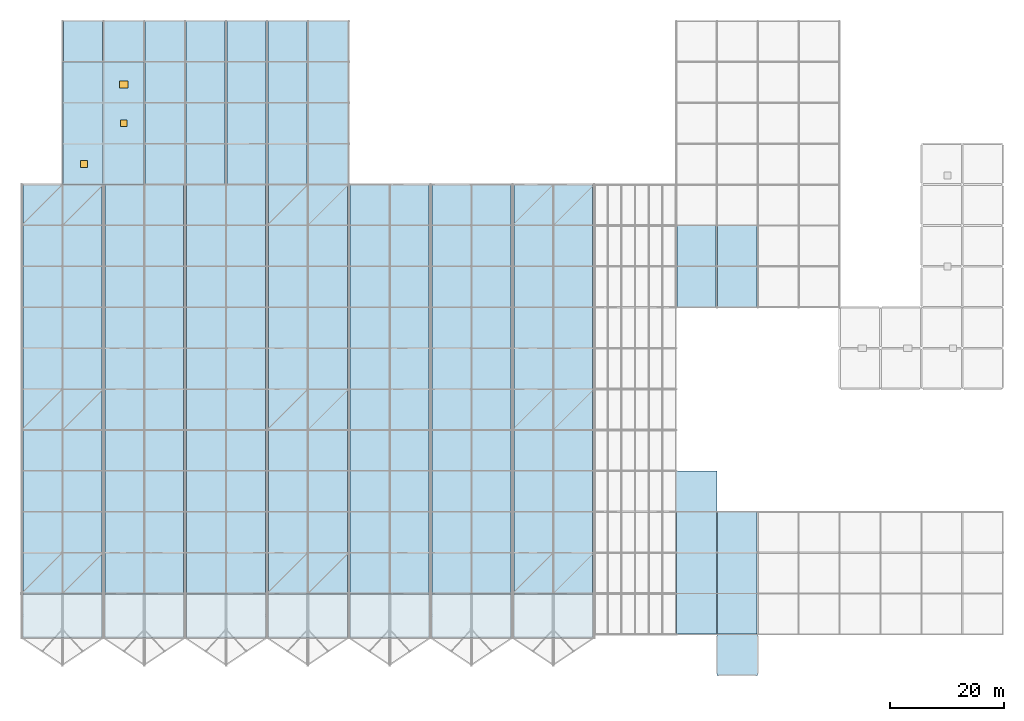
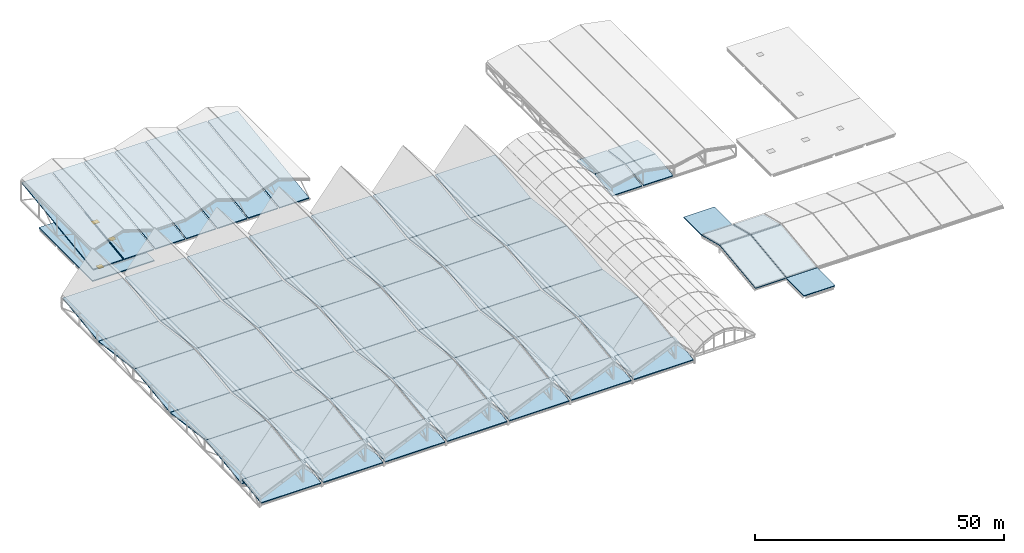
# One storey, part 42 of 60: 60 slabs, 3 windows, 3 openings.
"""IFC4 building model written with IfcOpenShell, lengths in metres."""

from ifc_helpers import new_model, si_unit, direction, frame, origin, origin_2d, place, context, subcontext, project, spatial, polyline, rectangle, outline, extrude, material, layer, layer_set, type_object, element, fill, save


model = new_model("IFC4")

# Units and contexts
model_context = context("Model", 3, precision=1e-05, world=origin(), true_north=direction((0.0, 1.0)))
body_context = subcontext(model_context, "Body", "Model", "MODEL_VIEW")
ifc_project = project(units=[si_unit("LENGTHUNIT", "METRE"), si_unit("AREAUNIT", "SQUARE_METRE"), si_unit("VOLUMEUNIT", "CUBIC_METRE"), si_unit("PLANEANGLEUNIT", "RADIAN"), si_unit("MASSUNIT", "GRAM", prefix="KILO")], contexts=[model_context])

# Site, building, storey
site_placement = place(None, origin())
site = spatial("IfcSite", under=ifc_project, at=site_placement, CompositionType="ELEMENT")
building_placement = place(site_placement, origin())
building = spatial("IfcBuilding", under=site, at=building_placement, Name="Vesperath Aquatics Centre", CompositionType="ELEMENT")
storey_placement = place(building_placement, frame((0.0, 0.0, 27.60009765625)))
storey = spatial("IfcBuildingStorey", under=building, at=storey_placement, Name="RF", CompositionType="ELEMENT", Elevation=27.60009765625)

# Slabs
ifc_material_1 = material(Name="Concrete C35", Category="concrete")
ifc_layer_1 = layer(ifc_material_1, 0.2548828125)
ifc_layer_set_1 = layer_set([ifc_layer_1], Name="Concrete C35")
slab_type_1 = type_object("IfcSlabType", Name="SL-RF01", PredefinedType="ROOF", material=ifc_layer_set_1)
slab_1_placement = place(storey_placement, frame((0.25, 6.64501953125, -11.9501953125), z_axis=(0.0, -0.133777130456, 0.991011442601), x_axis=(1.0, 0.0, 0.0)))
element("IfcSlab", 1, at=slab_1_placement, inside=storey, type_object=slab_type_1, Name="Natatorium Folded Structural Roof Deck RD01 G1-1", PredefinedType="ROOF", context=body_context, shape_type="SweptSolid", body=[
    extrude(outline(polyline([(0.0, 0.0), (13.89990234375, 0.0), (13.89990234375, 7.7798909337126325), (0.0, 7.7798909337126325), (0.0, 0.0)])), origin(), (0.0, 0.0, -1.0), 0.2548828125),
])
slab_2_placement = place(storey_placement, frame((0.25, 14.445068359375, -11.9501953125), z_axis=(0.0, -0.133076324144, 0.991105792513), x_axis=(1.0, 0.0, 0.0)))
element("IfcSlab", 2, at=slab_2_placement, inside=storey, type_object=slab_type_1, Name="Natatorium Folded Structural Roof Deck RD01 G1-2", PredefinedType="ROOF", context=body_context, shape_type="SweptSolid", body=[
    extrude(outline(polyline([(0.0, 0.0), (13.89990234375, 0.0), (13.89990234375, 14.43823107606517), (0.0, 14.43823107606517), (0.0, 0.0)])), origin(), (0.0, 0.0, -1.0), 0.2548828125),
])
slab_3_placement = place(storey_placement, frame((0.25, 28.844970703125, -10.02880859375), z_axis=(0.0, 0.133074093966, 0.991106091957), x_axis=(1.0, 0.0, 0.0)))
element("IfcSlab", 3, at=slab_3_placement, inside=storey, type_object=slab_type_1, Name="Natatorium Folded Structural Roof Deck RD01 G1-3", PredefinedType="ROOF", context=body_context, shape_type="SweptSolid", body=[
    extrude(outline(polyline([(0.0, 0.0), (13.89990234375, 0.0), (13.89990234375, 14.438473045289351), (0.0, 14.438473045289351), (0.0, 0.0)])), origin(), (0.0, 0.0, -1.0), 0.2548828125),
])
slab_4_placement = place(storey_placement, frame((0.25, 43.2451171875, -11.9501953125), z_axis=(0.0, -0.133076324144, 0.991105792513), x_axis=(1.0, 0.0, 0.0)))
element("IfcSlab", 4, at=slab_4_placement, inside=storey, type_object=slab_type_1, Name="Natatorium Folded Structural Roof Deck RD01 G1-4", PredefinedType="ROOF", context=body_context, shape_type="SweptSolid", body=[
    extrude(outline(polyline([(0.0, 0.0), (13.89990234375, 0.0), (13.89990234375, 14.43823107606517), (0.0, 14.43823107606517), (0.0, 0.0)])), origin(), (0.0, 0.0, -1.0), 0.2548828125),
])
for number, where, z_axis, x_axis, name in (
    (5, (0.25, 57.64501953125, -10.02880859375), (0.0, 0.133074093966, 0.991106091957), (1.0, 0.0, 0.0), "Natatorium Folded Structural Roof Deck RD01 G1-5"),
    (6, (0.25, 72.044921875, -11.9501953125), (0.0, -0.133074093966, 0.991106091957), (1.0, 0.0, 0.0), "Natatorium Folded Structural Roof Deck RD01 G1-6"),
):
    element("IfcSlab", number, at=place(storey_placement, frame(where, z_axis=z_axis, x_axis=x_axis)), inside=storey, type_object=slab_type_1, Name=name, PredefinedType="ROOF", context=body_context, shape_type="SweptSolid", body=[
        extrude(outline(polyline([(0.0, 0.0), (13.89990234375, 0.0), (13.89990234375, 14.438473045289351), (0.0, 14.438473045289351), (0.0, 0.0)])), origin(), (0.0, 0.0, -1.0), 0.2548828125),
    ])
slab_5_placement = place(storey_placement, frame((14.64990234375, 6.64501953125, -11.9501953125), z_axis=(0.0, -0.133777130456, 0.991011442601), x_axis=(1.0, 0.0, 0.0)))
element("IfcSlab", 7, at=slab_5_placement, inside=storey, type_object=slab_type_1, Name="Natatorium Folded Structural Roof Deck RD01 G2-1", PredefinedType="ROOF", context=body_context, shape_type="SweptSolid", body=[
    extrude(outline(polyline([(0.0, 0.0), (13.900146484375, 0.0), (13.900146484375, 7.7798909337126325), (0.0, 7.7798909337126325), (0.0, 0.0)])), origin(), (0.0, 0.0, -1.0), 0.2548828125),
])
slab_6_placement = place(storey_placement, frame((14.64990234375, 14.445068359375, -11.9501953125), z_axis=(0.0, -0.133076324144, 0.991105792513), x_axis=(1.0, 0.0, 0.0)))
element("IfcSlab", 8, at=slab_6_placement, inside=storey, type_object=slab_type_1, Name="Natatorium Folded Structural Roof Deck RD01 G2-2", PredefinedType="ROOF", context=body_context, shape_type="SweptSolid", body=[
    extrude(outline(polyline([(0.0, 0.0), (13.900146484375, 0.0), (13.900146484375, 14.438231076065172), (0.0, 14.438231076065172), (0.0, 0.0)])), origin(), (0.0, 0.0, -1.0), 0.2548828125),
])
slab_7_placement = place(storey_placement, frame((14.64990234375, 28.844970703125, -10.02880859375), z_axis=(0.0, 0.133074093966, 0.991106091957), x_axis=(1.0, 0.0, 0.0)))
element("IfcSlab", 9, at=slab_7_placement, inside=storey, type_object=slab_type_1, Name="Natatorium Folded Structural Roof Deck RD01 G2-3", PredefinedType="ROOF", context=body_context, shape_type="SweptSolid", body=[
    extrude(outline(polyline([(0.0, 0.0), (13.900146484375, 0.0), (13.900146484375, 14.438473045289351), (0.0, 14.438473045289351), (0.0, 0.0)])), origin(), (0.0, 0.0, -1.0), 0.2548828125),
])
slab_8_placement = place(storey_placement, frame((14.64990234375, 43.2451171875, -11.9501953125), z_axis=(0.0, -0.133076324144, 0.991105792513), x_axis=(1.0, 0.0, 0.0)))
element("IfcSlab", 10, at=slab_8_placement, inside=storey, type_object=slab_type_1, Name="Natatorium Folded Structural Roof Deck RD01 G2-4", PredefinedType="ROOF", context=body_context, shape_type="SweptSolid", body=[
    extrude(outline(polyline([(0.0, 0.0), (13.900146484375, 0.0), (13.900146484375, 14.438231076065172), (0.0, 14.438231076065172), (0.0, 0.0)])), origin(), (0.0, 0.0, -1.0), 0.2548828125),
])
for number, where, z_axis, x_axis, name in (
    (11, (14.64990234375, 57.64501953125, -10.02880859375), (0.0, 0.133074093966, 0.991106091957), (1.0, 0.0, 0.0), "Natatorium Folded Structural Roof Deck RD01 G2-5"),
    (12, (14.64990234375, 72.044921875, -11.9501953125), (0.0, -0.133074093966, 0.991106091957), (1.0, 0.0, 0.0), "Natatorium Folded Structural Roof Deck RD01 G2-6"),
):
    element("IfcSlab", number, at=place(storey_placement, frame(where, z_axis=z_axis, x_axis=x_axis)), inside=storey, type_object=slab_type_1, Name=name, PredefinedType="ROOF", context=body_context, shape_type="SweptSolid", body=[
        extrude(outline(polyline([(0.0, 0.0), (13.900146484375, 0.0), (13.900146484375, 14.438473045289351), (0.0, 14.438473045289351), (0.0, 0.0)])), origin(), (0.0, 0.0, -1.0), 0.2548828125),
    ])
slab_9_placement = place(storey_placement, frame((29.050048828125, 6.64501953125, -11.9501953125), z_axis=(0.0, -0.133777130456, 0.991011442601), x_axis=(1.0, 0.0, 0.0)))
element("IfcSlab", 13, at=slab_9_placement, inside=storey, type_object=slab_type_1, Name="Natatorium Folded Structural Roof Deck RD01 G3-1", PredefinedType="ROOF", context=body_context, shape_type="SweptSolid", body=[
    extrude(outline(polyline([(0.0, 0.0), (13.89990234375, 0.0), (13.89990234375, 7.7798909337126325), (0.0, 7.7798909337126325), (0.0, 0.0)])), origin(), (0.0, 0.0, -1.0), 0.2548828125),
])
slab_10_placement = place(storey_placement, frame((29.050048828125, 14.445068359375, -11.9501953125), z_axis=(0.0, -0.133076324144, 0.991105792513), x_axis=(1.0, 0.0, 0.0)))
element("IfcSlab", 14, at=slab_10_placement, inside=storey, type_object=slab_type_1, Name="Natatorium Folded Structural Roof Deck RD01 G3-2", PredefinedType="ROOF", context=body_context, shape_type="SweptSolid", body=[
    extrude(outline(polyline([(0.0, 0.0), (13.89990234375, 0.0), (13.89990234375, 14.43823107606517), (0.0, 14.43823107606517), (0.0, 0.0)])), origin(), (0.0, 0.0, -1.0), 0.2548828125),
])
slab_11_placement = place(storey_placement, frame((29.050048828125, 28.844970703125, -10.02880859375), z_axis=(0.0, 0.133074093966, 0.991106091957), x_axis=(1.0, 0.0, 0.0)))
element("IfcSlab", 15, at=slab_11_placement, inside=storey, type_object=slab_type_1, Name="Natatorium Folded Structural Roof Deck RD01 G3-3", PredefinedType="ROOF", context=body_context, shape_type="SweptSolid", body=[
    extrude(outline(polyline([(0.0, 0.0), (13.89990234375, 0.0), (13.89990234375, 14.438473045289351), (0.0, 14.438473045289351), (0.0, 0.0)])), origin(), (0.0, 0.0, -1.0), 0.2548828125),
])
slab_12_placement = place(storey_placement, frame((29.050048828125, 43.2451171875, -11.9501953125), z_axis=(0.0, -0.133076324144, 0.991105792513), x_axis=(1.0, 0.0, 0.0)))
element("IfcSlab", 16, at=slab_12_placement, inside=storey, type_object=slab_type_1, Name="Natatorium Folded Structural Roof Deck RD01 G3-4", PredefinedType="ROOF", context=body_context, shape_type="SweptSolid", body=[
    extrude(outline(polyline([(0.0, 0.0), (13.89990234375, 0.0), (13.89990234375, 14.43823107606517), (0.0, 14.43823107606517), (0.0, 0.0)])), origin(), (0.0, 0.0, -1.0), 0.2548828125),
])
for number, where, z_axis, x_axis, name in (
    (17, (29.050048828125, 57.64501953125, -10.02880859375), (0.0, 0.133074093966, 0.991106091957), (1.0, 0.0, 0.0), "Natatorium Folded Structural Roof Deck RD01 G3-5"),
    (18, (29.050048828125, 72.044921875, -11.9501953125), (0.0, -0.133074093966, 0.991106091957), (1.0, 0.0, 0.0), "Natatorium Folded Structural Roof Deck RD01 G3-6"),
):
    element("IfcSlab", number, at=place(storey_placement, frame(where, z_axis=z_axis, x_axis=x_axis)), inside=storey, type_object=slab_type_1, Name=name, PredefinedType="ROOF", context=body_context, shape_type="SweptSolid", body=[
        extrude(outline(polyline([(0.0, 0.0), (13.89990234375, 0.0), (13.89990234375, 14.438473045289351), (0.0, 14.438473045289351), (0.0, 0.0)])), origin(), (0.0, 0.0, -1.0), 0.2548828125),
    ])
slab_13_placement = place(storey_placement, frame((43.449951171875, 6.64501953125, -11.9501953125), z_axis=(0.0, -0.133777130456, 0.991011442601), x_axis=(1.0, 0.0, 0.0)))
element("IfcSlab", 19, at=slab_13_placement, inside=storey, type_object=slab_type_1, Name="Natatorium Folded Structural Roof Deck RD01 G4-1", PredefinedType="ROOF", context=body_context, shape_type="SweptSolid", body=[
    extrude(outline(polyline([(0.0, 0.0), (13.900146484375, 0.0), (13.900146484375, 7.7798909337126325), (0.0, 7.7798909337126325), (0.0, 0.0)])), origin(), (0.0, 0.0, -1.0), 0.2548828125),
])
slab_14_placement = place(storey_placement, frame((43.449951171875, 14.445068359375, -11.9501953125), z_axis=(0.0, -0.133076324144, 0.991105792513), x_axis=(1.0, 0.0, 0.0)))
element("IfcSlab", 20, at=slab_14_placement, inside=storey, type_object=slab_type_1, Name="Natatorium Folded Structural Roof Deck RD01 G4-2", PredefinedType="ROOF", context=body_context, shape_type="SweptSolid", body=[
    extrude(outline(polyline([(0.0, 0.0), (13.900146484375, 0.0), (13.900146484375, 14.438231076065172), (0.0, 14.438231076065172), (0.0, 0.0)])), origin(), (0.0, 0.0, -1.0), 0.2548828125),
])
slab_15_placement = place(storey_placement, frame((43.449951171875, 28.844970703125, -10.02880859375), z_axis=(0.0, 0.133074093966, 0.991106091957), x_axis=(1.0, 0.0, 0.0)))
element("IfcSlab", 21, at=slab_15_placement, inside=storey, type_object=slab_type_1, Name="Natatorium Folded Structural Roof Deck RD01 G4-3", PredefinedType="ROOF", context=body_context, shape_type="SweptSolid", body=[
    extrude(outline(polyline([(0.0, 0.0), (13.900146484375, 0.0), (13.900146484375, 14.438473045289351), (0.0, 14.438473045289351), (0.0, 0.0)])), origin(), (0.0, 0.0, -1.0), 0.2548828125),
])
slab_16_placement = place(storey_placement, frame((43.449951171875, 43.2451171875, -11.9501953125), z_axis=(0.0, -0.133076324144, 0.991105792513), x_axis=(1.0, 0.0, 0.0)))
element("IfcSlab", 22, at=slab_16_placement, inside=storey, type_object=slab_type_1, Name="Natatorium Folded Structural Roof Deck RD01 G4-4", PredefinedType="ROOF", context=body_context, shape_type="SweptSolid", body=[
    extrude(outline(polyline([(0.0, 0.0), (13.900146484375, 0.0), (13.900146484375, 14.438231076065172), (0.0, 14.438231076065172), (0.0, 0.0)])), origin(), (0.0, 0.0, -1.0), 0.2548828125),
])
for number, where, z_axis, x_axis, name in (
    (23, (43.449951171875, 57.64501953125, -10.02880859375), (0.0, 0.133074093966, 0.991106091957), (1.0, 0.0, 0.0), "Natatorium Folded Structural Roof Deck RD01 G4-5"),
    (24, (43.449951171875, 72.044921875, -11.9501953125), (0.0, -0.133074093966, 0.991106091957), (1.0, 0.0, 0.0), "Natatorium Folded Structural Roof Deck RD01 G4-6"),
):
    element("IfcSlab", number, at=place(storey_placement, frame(where, z_axis=z_axis, x_axis=x_axis)), inside=storey, type_object=slab_type_1, Name=name, PredefinedType="ROOF", context=body_context, shape_type="SweptSolid", body=[
        extrude(outline(polyline([(0.0, 0.0), (13.900146484375, 0.0), (13.900146484375, 14.438473045289351), (0.0, 14.438473045289351), (0.0, 0.0)])), origin(), (0.0, 0.0, -1.0), 0.2548828125),
    ])
slab_17_placement = place(storey_placement, frame((57.85009765625, 6.64501953125, -11.9501953125), z_axis=(0.0, -0.133777130456, 0.991011442601), x_axis=(1.0, 0.0, 0.0)))
element("IfcSlab", 25, at=slab_17_placement, inside=storey, type_object=slab_type_1, Name="Natatorium Folded Structural Roof Deck RD01 G5-1", PredefinedType="ROOF", context=body_context, shape_type="SweptSolid", body=[
    extrude(outline(polyline([(0.0, 0.0), (13.89990234375, 0.0), (13.89990234375, 7.7798909337126325), (0.0, 7.7798909337126325), (0.0, 0.0)])), origin(), (0.0, 0.0, -1.0), 0.2548828125),
])
slab_18_placement = place(storey_placement, frame((57.85009765625, 14.445068359375, -11.9501953125), z_axis=(0.0, -0.133076324144, 0.991105792513), x_axis=(1.0, 0.0, 0.0)))
element("IfcSlab", 26, at=slab_18_placement, inside=storey, type_object=slab_type_1, Name="Natatorium Folded Structural Roof Deck RD01 G5-2", PredefinedType="ROOF", context=body_context, shape_type="SweptSolid", body=[
    extrude(outline(polyline([(0.0, 0.0), (13.89990234375, 0.0), (13.89990234375, 14.43823107606517), (0.0, 14.43823107606517), (0.0, 0.0)])), origin(), (0.0, 0.0, -1.0), 0.2548828125),
])
slab_19_placement = place(storey_placement, frame((57.85009765625, 28.844970703125, -10.02880859375), z_axis=(0.0, 0.133074093966, 0.991106091957), x_axis=(1.0, 0.0, 0.0)))
element("IfcSlab", 27, at=slab_19_placement, inside=storey, type_object=slab_type_1, Name="Natatorium Folded Structural Roof Deck RD01 G5-3", PredefinedType="ROOF", context=body_context, shape_type="SweptSolid", body=[
    extrude(outline(polyline([(0.0, 0.0), (13.89990234375, 0.0), (13.89990234375, 14.438473045289351), (0.0, 14.438473045289351), (0.0, 0.0)])), origin(), (0.0, 0.0, -1.0), 0.2548828125),
])
slab_20_placement = place(storey_placement, frame((57.85009765625, 43.2451171875, -11.9501953125), z_axis=(0.0, -0.133076324144, 0.991105792513), x_axis=(1.0, 0.0, 0.0)))
element("IfcSlab", 28, at=slab_20_placement, inside=storey, type_object=slab_type_1, Name="Natatorium Folded Structural Roof Deck RD01 G5-4", PredefinedType="ROOF", context=body_context, shape_type="SweptSolid", body=[
    extrude(outline(polyline([(0.0, 0.0), (13.89990234375, 0.0), (13.89990234375, 14.43823107606517), (0.0, 14.43823107606517), (0.0, 0.0)])), origin(), (0.0, 0.0, -1.0), 0.2548828125),
])
for number, where, z_axis, x_axis, name in (
    (29, (57.85009765625, 57.64501953125, -10.02880859375), (0.0, 0.133074093966, 0.991106091957), (1.0, 0.0, 0.0), "Natatorium Folded Structural Roof Deck RD01 G5-5"),
    (30, (57.85009765625, 72.044921875, -11.9501953125), (0.0, -0.133074093966, 0.991106091957), (1.0, 0.0, 0.0), "Natatorium Folded Structural Roof Deck RD01 G5-6"),
):
    element("IfcSlab", number, at=place(storey_placement, frame(where, z_axis=z_axis, x_axis=x_axis)), inside=storey, type_object=slab_type_1, Name=name, PredefinedType="ROOF", context=body_context, shape_type="SweptSolid", body=[
        extrude(outline(polyline([(0.0, 0.0), (13.89990234375, 0.0), (13.89990234375, 14.438473045289351), (0.0, 14.438473045289351), (0.0, 0.0)])), origin(), (0.0, 0.0, -1.0), 0.2548828125),
    ])
slab_21_placement = place(storey_placement, frame((72.25, 6.64501953125, -11.9501953125), z_axis=(0.0, -0.133777130456, 0.991011442601), x_axis=(1.0, 0.0, 0.0)))
element("IfcSlab", 31, at=slab_21_placement, inside=storey, type_object=slab_type_1, Name="Natatorium Folded Structural Roof Deck RD01 G6-1", PredefinedType="ROOF", context=body_context, shape_type="SweptSolid", body=[
    extrude(outline(polyline([(0.0, 0.0), (13.89990234375, 0.0), (13.89990234375, 7.7798909337126325), (0.0, 7.7798909337126325), (0.0, 0.0)])), origin(), (0.0, 0.0, -1.0), 0.2548828125),
])
slab_22_placement = place(storey_placement, frame((72.25, 14.445068359375, -11.9501953125), z_axis=(0.0, -0.133076324144, 0.991105792513), x_axis=(1.0, 0.0, 0.0)))
element("IfcSlab", 32, at=slab_22_placement, inside=storey, type_object=slab_type_1, Name="Natatorium Folded Structural Roof Deck RD01 G6-2", PredefinedType="ROOF", context=body_context, shape_type="SweptSolid", body=[
    extrude(outline(polyline([(0.0, 0.0), (13.89990234375, 0.0), (13.89990234375, 14.43823107606517), (0.0, 14.43823107606517), (0.0, 0.0)])), origin(), (0.0, 0.0, -1.0), 0.2548828125),
])
slab_23_placement = place(storey_placement, frame((72.25, 28.844970703125, -10.02880859375), z_axis=(0.0, 0.133074093966, 0.991106091957), x_axis=(1.0, 0.0, 0.0)))
element("IfcSlab", 33, at=slab_23_placement, inside=storey, type_object=slab_type_1, Name="Natatorium Folded Structural Roof Deck RD01 G6-3", PredefinedType="ROOF", context=body_context, shape_type="SweptSolid", body=[
    extrude(outline(polyline([(0.0, 0.0), (13.89990234375, 0.0), (13.89990234375, 14.438473045289351), (0.0, 14.438473045289351), (0.0, 0.0)])), origin(), (0.0, 0.0, -1.0), 0.2548828125),
])
slab_24_placement = place(storey_placement, frame((72.25, 43.2451171875, -11.9501953125), z_axis=(0.0, -0.133076324144, 0.991105792513), x_axis=(1.0, 0.0, 0.0)))
element("IfcSlab", 34, at=slab_24_placement, inside=storey, type_object=slab_type_1, Name="Natatorium Folded Structural Roof Deck RD01 G6-4", PredefinedType="ROOF", context=body_context, shape_type="SweptSolid", body=[
    extrude(outline(polyline([(0.0, 0.0), (13.89990234375, 0.0), (13.89990234375, 14.43823107606517), (0.0, 14.43823107606517), (0.0, 0.0)])), origin(), (0.0, 0.0, -1.0), 0.2548828125),
])
for number, where, z_axis, x_axis, name in (
    (35, (72.25, 57.64501953125, -10.02880859375), (0.0, 0.133074093966, 0.991106091957), (1.0, 0.0, 0.0), "Natatorium Folded Structural Roof Deck RD01 G6-5"),
    (36, (72.25, 72.044921875, -11.9501953125), (0.0, -0.133074093966, 0.991106091957), (1.0, 0.0, 0.0), "Natatorium Folded Structural Roof Deck RD01 G6-6"),
):
    element("IfcSlab", number, at=place(storey_placement, frame(where, z_axis=z_axis, x_axis=x_axis)), inside=storey, type_object=slab_type_1, Name=name, PredefinedType="ROOF", context=body_context, shape_type="SweptSolid", body=[
        extrude(outline(polyline([(0.0, 0.0), (13.89990234375, 0.0), (13.89990234375, 14.438473045289351), (0.0, 14.438473045289351), (0.0, 0.0)])), origin(), (0.0, 0.0, -1.0), 0.2548828125),
    ])
slab_25_placement = place(storey_placement, frame((86.64990234375, 6.64501953125, -11.9501953125), z_axis=(0.0, -0.133777130456, 0.991011442601), x_axis=(1.0, 0.0, 0.0)))
element("IfcSlab", 37, at=slab_25_placement, inside=storey, type_object=slab_type_1, Name="Natatorium Folded Structural Roof Deck RD01 G7-1", PredefinedType="ROOF", context=body_context, shape_type="SweptSolid", body=[
    extrude(outline(polyline([(0.0, 0.0), (13.900146484375, 0.0), (13.900146484375, 7.7798909337126325), (0.0, 7.7798909337126325), (0.0, 0.0)])), origin(), (0.0, 0.0, -1.0), 0.2548828125),
])
slab_26_placement = place(storey_placement, frame((86.64990234375, 14.445068359375, -11.9501953125), z_axis=(0.0, -0.133076324144, 0.991105792513), x_axis=(1.0, 0.0, 0.0)))
element("IfcSlab", 38, at=slab_26_placement, inside=storey, type_object=slab_type_1, Name="Natatorium Folded Structural Roof Deck RD01 G7-2", PredefinedType="ROOF", context=body_context, shape_type="SweptSolid", body=[
    extrude(outline(polyline([(0.0, 0.0), (13.900146484375, 0.0), (13.900146484375, 14.438231076065172), (0.0, 14.438231076065172), (0.0, 0.0)])), origin(), (0.0, 0.0, -1.0), 0.2548828125),
])
slab_27_placement = place(storey_placement, frame((86.64990234375, 28.844970703125, -10.02880859375), z_axis=(0.0, 0.133074093966, 0.991106091957), x_axis=(1.0, 0.0, 0.0)))
element("IfcSlab", 39, at=slab_27_placement, inside=storey, type_object=slab_type_1, Name="Natatorium Folded Structural Roof Deck RD01 G7-3", PredefinedType="ROOF", context=body_context, shape_type="SweptSolid", body=[
    extrude(outline(polyline([(0.0, 0.0), (13.900146484375, 0.0), (13.900146484375, 14.438473045289351), (0.0, 14.438473045289351), (0.0, 0.0)])), origin(), (0.0, 0.0, -1.0), 0.2548828125),
])
slab_28_placement = place(storey_placement, frame((86.64990234375, 43.2451171875, -11.9501953125), z_axis=(0.0, -0.133076324144, 0.991105792513), x_axis=(1.0, 0.0, 0.0)))
element("IfcSlab", 40, at=slab_28_placement, inside=storey, type_object=slab_type_1, Name="Natatorium Folded Structural Roof Deck RD01 G7-4", PredefinedType="ROOF", context=body_context, shape_type="SweptSolid", body=[
    extrude(outline(polyline([(0.0, 0.0), (13.900146484375, 0.0), (13.900146484375, 14.438231076065172), (0.0, 14.438231076065172), (0.0, 0.0)])), origin(), (0.0, 0.0, -1.0), 0.2548828125),
])
for number, where, z_axis, x_axis, name in (
    (41, (86.64990234375, 57.64501953125, -10.02880859375), (0.0, 0.133074093966, 0.991106091957), (1.0, 0.0, 0.0), "Natatorium Folded Structural Roof Deck RD01 G7-5"),
    (42, (86.64990234375, 72.044921875, -11.9501953125), (0.0, -0.133074093966, 0.991106091957), (1.0, 0.0, 0.0), "Natatorium Folded Structural Roof Deck RD01 G7-6"),
):
    element("IfcSlab", number, at=place(storey_placement, frame(where, z_axis=z_axis, x_axis=x_axis)), inside=storey, type_object=slab_type_1, Name=name, PredefinedType="ROOF", context=body_context, shape_type="SweptSolid", body=[
        extrude(outline(polyline([(0.0, 0.0), (13.900146484375, 0.0), (13.900146484375, 14.438473045289351), (0.0, 14.438473045289351), (0.0, 0.0)])), origin(), (0.0, 0.0, -1.0), 0.2548828125),
    ])
for number, where, z_axis, x_axis, name in (
    (43, (7.35009765625, 86.39990234375, -5.52001953125), (0.0, -0.13224903017, 0.991216522269), (1.0, 0.0, 0.0), "Diving Hall Folded Roof Deck RD01 2"),
    (44, (14.550048828125, 86.39990234375, -5.52001953125), (0.0, -0.13224903017, 0.991216522269), (1.0, 0.0, 0.0), "Diving Hall Folded Roof Deck RD01 3"),
    (45, (21.75, 86.39990234375, -5.52001953125), (0.0, -0.13224903017, 0.991216522269), (1.0, 0.0, 0.0), "Diving Hall Folded Roof Deck RD01 4"),
):
    element("IfcSlab", number, at=place(storey_placement, frame(where, z_axis=z_axis, x_axis=x_axis)), inside=storey, type_object=slab_type_1, Name=name, PredefinedType="ROOF", context=body_context, shape_type="SweptSolid", body=[
        extrude(outline(polyline([(0.0, 0.0), (6.89990234375, 0.0), (6.89990234375, 29.05525501350361), (0.0, 29.05525501350361), (0.0, 0.0)])), origin(), (0.0, 0.0, -1.0), 0.2548828125),
    ])
for number, where, z_axis, x_axis, name in (
    (46, (28.949951171875, 86.39990234375, -5.52001953125), (0.0, -0.13224903017, 0.991216522269), (1.0, 0.0, 0.0), "Diving Hall Folded Roof Deck RD01 5"),
    (47, (36.14990234375, 86.39990234375, -5.52001953125), (0.0, -0.13224903017, 0.991216522269), (1.0, 0.0, 0.0), "Diving Hall Folded Roof Deck RD01 6"),
):
    element("IfcSlab", number, at=place(storey_placement, frame(where, z_axis=z_axis, x_axis=x_axis)), inside=storey, type_object=slab_type_1, Name=name, PredefinedType="ROOF", context=body_context, shape_type="SweptSolid", body=[
        extrude(outline(polyline([(0.0, 0.0), (6.900146484375, 0.0), (6.900146484375, 29.055255013503615), (0.0, 29.055255013503615), (0.0, 0.0)])), origin(), (0.0, 0.0, -1.0), 0.2548828125),
    ])
for number, where, z_axis, x_axis, name in (
    (48, (43.35009765625, 86.39990234375, -5.52001953125), (0.0, -0.13224903017, 0.991216522269), (1.0, 0.0, 0.0), "Diving Hall Folded Roof Deck RD01 7"),
    (49, (50.550048828125, 86.39990234375, -5.52001953125), (0.0, -0.13224903017, 0.991216522269), (1.0, 0.0, 0.0), "Diving Hall Folded Roof Deck RD01 8"),
):
    element("IfcSlab", number, at=place(storey_placement, frame(where, z_axis=z_axis, x_axis=x_axis)), inside=storey, type_object=slab_type_1, Name=name, PredefinedType="ROOF", context=body_context, shape_type="SweptSolid", body=[
        extrude(outline(polyline([(0.0, 0.0), (6.89990234375, 0.0), (6.89990234375, 29.05525501350361), (0.0, 29.05525501350361), (0.0, 0.0)])), origin(), (0.0, 0.0, -1.0), 0.2548828125),
    ])

# Slab, openings, windows
slab_29_placement = place(storey_placement, frame((0.0, 0.0, -8.56005859375)))
slab_29 = element("IfcSlab", 50, at=slab_29_placement, inside=storey, type_object=slab_type_1, Name="Diving Gallery Flat Roof Slab RD01", PredefinedType="ROOF", context=body_context, shape_type="SweptSolid", body=[
    extrude(outline(polyline([(7.199951171875, 86.39990234375), (21.60009765625, 86.39990234375), (21.60009765625, 108.0), (7.199951171875, 108.0), (7.199951171875, 86.39990234375)])), origin(), (0.0, 0.0, 1.0), 0.2548828125),
])
opening_1_placement = place(slab_29_placement, frame((11.0, 90.0, -0.014892578125)))
opening_1 = element("IfcOpeningElement", 51, at=opening_1_placement, cuts=slab_29, Name="Opening RH01", PredefinedType="OPENING", context=body_context, shape_type="SweptSolid", body=[
    extrude(rectangle(XDim=1.199951171875, YDim=1.199951171875, at=origin_2d()), origin(), (0.0, 0.0, 1.0), 0.28466796875),
])
opening_2_placement = place(slab_29_placement, frame((18.0, 97.199951171875, -0.014892578125)))
opening_2 = element("IfcOpeningElement", 52, at=opening_2_placement, cuts=slab_29, Name="Opening RH01", PredefinedType="OPENING", context=body_context, shape_type="SweptSolid", body=[
    extrude(rectangle(XDim=1.199951171875, YDim=1.199951171875, at=origin_2d()), origin(), (0.0, 0.0, 1.0), 0.28466796875),
])
opening_3_placement = place(slab_29_placement, frame((18.0, 104.0, -0.014892578125)))
opening_3 = element("IfcOpeningElement", 53, at=opening_3_placement, cuts=slab_29, Name="Opening RH02", PredefinedType="OPENING", context=body_context, shape_type="SweptSolid", body=[
    extrude(rectangle(XDim=1.5, YDim=1.199951171875, at=origin_2d()), origin(), (0.0, 0.0, 1.0), 0.28466796875),
])
ifc_material_2 = material(Name="Thermally broken aluminium triple-glazed window", Category="aluminium")
window_type_1 = type_object("IfcWindowType", Name="WN-RH01", PartitioningType="SINGLE_PANEL", PredefinedType="SKYLIGHT", material=ifc_material_2)
window_1_placement = place(opening_1_placement, frame((0.0, 0.0, 0.2197265625)))
window_1 = element("IfcWindow", 54, at=window_1_placement, inside=storey, type_object=window_type_1, Name="Insulated Roof Access Skylight Hatch RH01", OverallHeight=1.199951171875, OverallWidth=1.199951171875, PartitioningType="SINGLE_PANEL", PredefinedType="SKYLIGHT", context=body_context, shape_type="SweptSolid", body=[
    extrude(rectangle(XDim=1.199951171875, YDim=1.199951171875, at=origin_2d()), origin(), (0.0, 0.0, 1.0), 0.050048828125),
])
fill(opening_1, window_1)
window_2_placement = place(opening_2_placement, frame((0.0, 0.0, 0.2197265625)))
window_2 = element("IfcWindow", 55, at=window_2_placement, inside=storey, type_object=window_type_1, Name="Insulated Roof Access Skylight Hatch RH01", OverallHeight=1.199951171875, OverallWidth=1.199951171875, PartitioningType="SINGLE_PANEL", PredefinedType="SKYLIGHT", context=body_context, shape_type="SweptSolid", body=[
    extrude(rectangle(XDim=1.199951171875, YDim=1.199951171875, at=origin_2d()), origin(), (0.0, 0.0, 1.0), 0.050048828125),
])
fill(opening_2, window_2)
window_type_2 = type_object("IfcWindowType", Name="WN-RH02", PartitioningType="SINGLE_PANEL", PredefinedType="SKYLIGHT", material=ifc_material_2)
window_3_placement = place(opening_3_placement, frame((0.0, 0.0, 0.2197265625)))
window_3 = element("IfcWindow", 56, at=window_3_placement, inside=storey, type_object=window_type_2, Name="Insulated Roof Access Skylight Hatch RH02", OverallHeight=1.199951171875, OverallWidth=1.5, PartitioningType="SINGLE_PANEL", PredefinedType="SKYLIGHT", context=body_context, shape_type="SweptSolid", body=[
    extrude(rectangle(XDim=1.5, YDim=1.199951171875, at=origin_2d()), origin(), (0.0, 0.0, 1.0), 0.050048828125),
])
fill(opening_3, window_3)

# Slabs
ifc_layer_2 = layer(ifc_material_1, 0.235107421875)
ifc_layer_set_2 = layer_set([ifc_layer_2], Name="Concrete C35")
slab_type_2 = type_object("IfcSlabType", Name="SL-RF02", PredefinedType="ROOF", material=ifc_layer_set_2)
for number, where, z_axis, x_axis, name in (
    (57, (115.35009765625, 64.844970703125, -12.2001953125), (0.0, -0.133899832382, 0.990994871272), (1.0, 0.0, 0.0), "Training Hall Lower Folded Roof Deck RD02 17-0"),
    (58, (115.35009765625, 72.044921875, -11.239501953125), (0.0, 0.133899832382, 0.990994871272), (1.0, 0.0, 0.0), "Training Hall Lower Folded Roof Deck RD02 17-1"),
    (59, (122.550048828125, 64.844970703125, -12.2001953125), (0.0, -0.133899832382, 0.990994871272), (1.0, 0.0, 0.0), "Training Hall Lower Folded Roof Deck RD02 18-0"),
    (60, (122.550048828125, 72.044921875, -11.239501953125), (0.0, 0.133899832382, 0.990994871272), (1.0, 0.0, 0.0), "Training Hall Lower Folded Roof Deck RD02 18-1"),
):
    element("IfcSlab", number, at=place(storey_placement, frame(where, z_axis=z_axis, x_axis=x_axis)), inside=storey, type_object=slab_type_2, Name=name, PredefinedType="ROOF", context=body_context, shape_type="SweptSolid", body=[
        extrude(outline(polyline([(0.0, 0.0), (6.89990234375, 0.0), (6.89990234375, 7.174716669064304), (0.0, 7.174716669064304), (0.0, 0.0)])), origin(), (0.0, 0.0, -1.0), 0.235107421875),
    ])
slab_30_placement = place(storey_placement, frame((115.300048828125, 7.239990234375, 0.079833984375), z_axis=(0.0, -0.124805543827, 0.992181221466), x_axis=(1.0, 0.0, 0.0)))
element("IfcSlab", 61, at=slab_30_placement, inside=storey, type_object=slab_type_2, Name="Boulevard Wing South Roof Slab RD02 17", PredefinedType="ROOF", context=body_context, shape_type="SweptSolid", body=[
    extrude(outline(polyline([(0.0, 0.0), (7.0, 0.0), (7.0, 14.422827487708242), (0.0, 14.422827487708242), (0.0, 0.0)])), origin(), (0.0, 0.0, -1.0), 0.235107421875),
])
slab_31_placement = place(storey_placement, frame((115.300048828125, 21.64990234375, 1.8798828125), z_axis=(0.0, 0.245424638793, 0.969415672802), x_axis=(1.0, 0.0, 0.0)))
element("IfcSlab", 62, at=slab_31_placement, inside=storey, type_object=slab_type_2, Name="Boulevard Wing North Roof Slab RD02 17", PredefinedType="ROOF", context=body_context, shape_type="SweptSolid", body=[
    extrude(outline(polyline([(0.0, 0.0), (7.0, 0.0), (7.0, 7.3344259035207475), (0.0, 7.3344259035207475), (0.0, 0.0)])), origin(), (0.0, 0.0, -1.0), 0.235107421875),
])
slab_32_placement = place(storey_placement, frame((122.5, 7.239990234375, 0.079833984375), z_axis=(0.0, -0.124805543827, 0.992181221466), x_axis=(1.0, 0.0, 0.0)))
element("IfcSlab", 63, at=slab_32_placement, inside=storey, type_object=slab_type_2, Name="Boulevard Wing South Roof Slab RD02 18", PredefinedType="ROOF", context=body_context, shape_type="SweptSolid", body=[
    extrude(outline(polyline([(0.0, 0.0), (7.0, 0.0), (7.0, 14.422827487708242), (0.0, 14.422827487708242), (0.0, 0.0)])), origin(), (0.0, 0.0, -1.0), 0.235107421875),
])
slab_33_placement = place(storey_placement, frame((122.5, 21.64990234375, 1.8798828125), z_axis=(0.0, 0.245424638793, 0.969415672802), x_axis=(1.0, 0.0, 0.0)))
element("IfcSlab", 64, at=slab_33_placement, inside=storey, type_object=slab_type_2, Name="Boulevard Wing North Roof Slab RD02 18", PredefinedType="ROOF", context=body_context, shape_type="SweptSolid", body=[
    extrude(outline(polyline([(0.0, 0.0), (7.0, 0.0), (7.0, 7.3344259035207475), (0.0, 7.3344259035207475), (0.0, 0.0)])), origin(), (0.0, 0.0, -1.0), 0.235107421875),
])
slab_34_placement = place(storey_placement, frame((0.0, 0.0, -0.150146484375)))
element("IfcSlab", 65, at=slab_34_placement, inside=storey, type_object=slab_type_2, Name="Core C5 Roof Slab RD02", PredefinedType="ROOF", context=body_context, shape_type="SweptSolid", body=[
    extrude(outline(polyline([(122.39990234375, 0.0), (129.60009765625, 0.0), (129.60009765625, 7.199951171875), (122.39990234375, 7.199951171875), (122.39990234375, 0.0)])), origin(), (0.0, 0.0, 1.0), 0.235107421875),
])
slab_35_placement = place(storey_placement, frame((0.0, 0.0, -0.150146484375)))
element("IfcSlab", 66, at=slab_35_placement, inside=storey, type_object=slab_type_2, Name="Core C7 Roof Slab RD02", PredefinedType="ROOF", context=body_context, shape_type="SweptSolid", body=[
    extrude(outline(polyline([(115.199951171875, 28.800048828125), (122.39990234375, 28.800048828125), (122.39990234375, 36.0), (115.199951171875, 36.0), (115.199951171875, 28.800048828125)])), origin(), (0.0, 0.0, 1.0), 0.235107421875),
])

save(model, "model.ifc")
